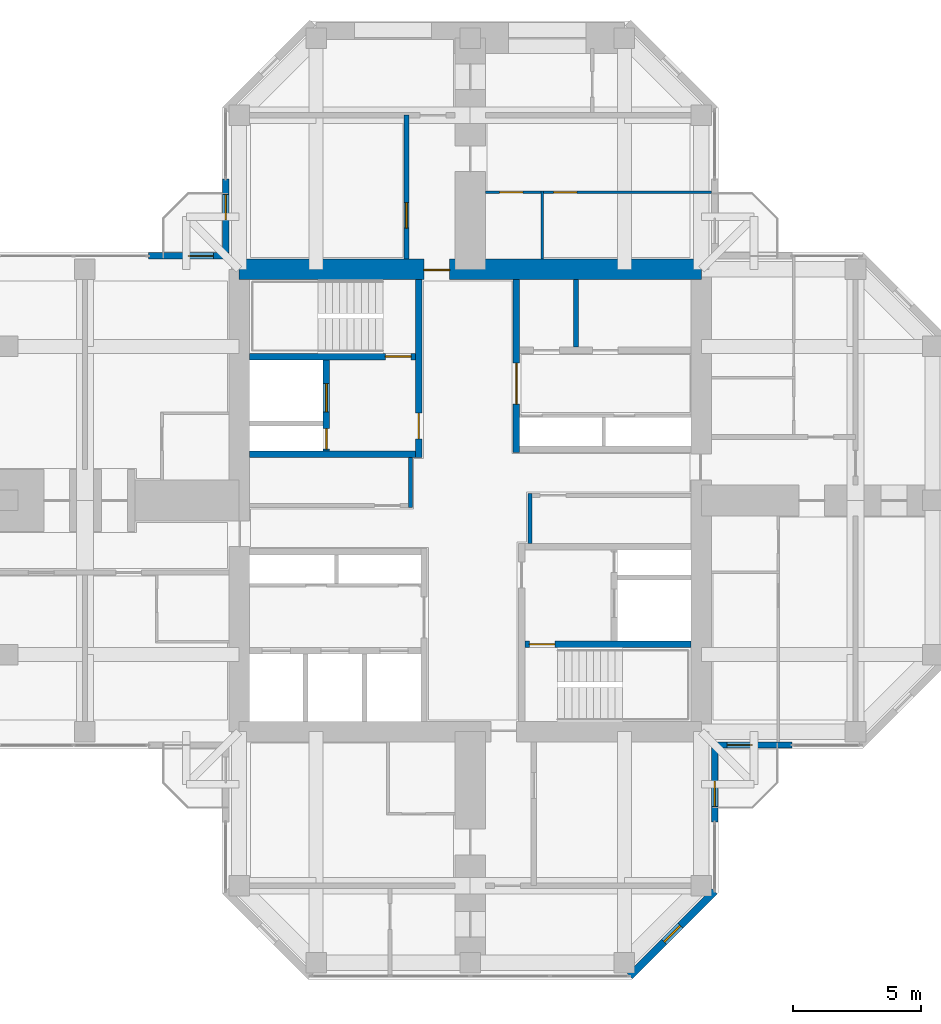
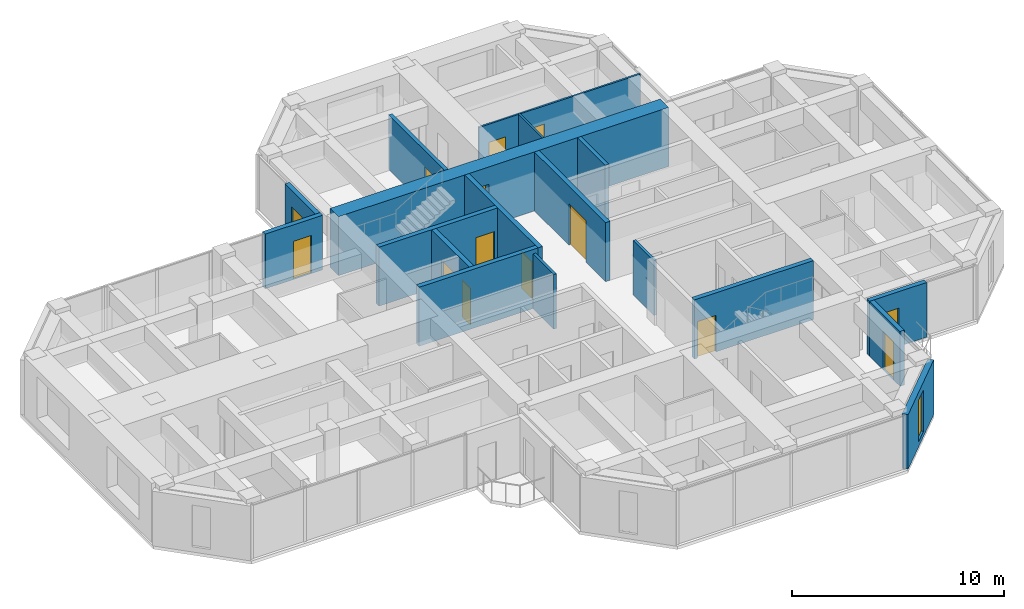
# One storey, part 10 of 13: 18 walls, 14 doors, 1 window, 15 openings.
"""IFC4 building model written with IfcOpenShell, lengths in metres."""

from ifc_helpers import new_model, si_unit, direction, frame, frame_2d, origin, place, context, subcontext, project, spatial, rectangle, hollow_rectangle, extrude, material, layer, layer_set, constituent, constituent_set, type_object, element, fill, save


model = new_model("IFC4")

# Units and contexts
model_context = context("Model", 3, precision=1e-05, world=origin(), true_north=direction((0.0, 1.0)))
body_context = subcontext(model_context, "Body", "Model", "MODEL_VIEW")
ifc_project = project(units=[si_unit("LENGTHUNIT", "METRE"), si_unit("AREAUNIT", "SQUARE_METRE"), si_unit("VOLUMEUNIT", "CUBIC_METRE"), si_unit("PLANEANGLEUNIT", "RADIAN"), si_unit("MASSUNIT", "GRAM", prefix="KILO")], contexts=[model_context])

# Site, building, storey
site_placement = place(None, origin())
site = spatial("IfcSite", under=ifc_project, at=site_placement, CompositionType="ELEMENT")
building_placement = place(site_placement, origin())
building = spatial("IfcBuilding", under=site, at=building_placement, Name="Torre Cruceta", CompositionType="ELEMENT")
storey_placement = place(building_placement, frame((0.0, 0.0, 249.300048828125)))
storey = spatial("IfcBuildingStorey", under=building, at=storey_placement, Name="L64", CompositionType="ELEMENT", Elevation=249.300048828125)

# Wall
ifc_material_1 = material(Name="Water-resistant plasterboard on steel studs", Category="steel")
ifc_layer_1 = layer(ifc_material_1, 0.10009765625)
ifc_layer_set_1 = layer_set([ifc_layer_1], Name="Water-resistant plasterboard on steel studs")
wall_type_1 = type_object("IfcWallType", Name="BATHROOM WALL 100", PredefinedType="PARTITIONING", material=ifc_layer_set_1)
wall_1_placement = place(storey_placement, frame((2.800048828125, 9.39990234375, 0.0), z_axis=(0.0, 0.0, 1.0), x_axis=(0.0, 1.0, 0.0)))
element("IfcWall", 1, at=wall_1_placement, inside=storey, type_object=wall_type_1, Name="PT4 L64-N-U1RBB", PredefinedType="PARTITIONING", context=body_context, shape_type="SweptSolid", body=[
    extrude(rectangle(XDim=2.650146484375, YDim=0.10009765625, at=frame_2d((1.3251953125, 0.0))), origin(), (0.0, 0.0, 1.0), 3.14990234375),
])

# Wall, openings, doors
wall_2_placement = place(storey_placement, frame((9.39501953125, 12.0, 0.0), z_axis=(0.0, 0.0, 1.0), x_axis=(-1.0, 0.0, 0.0)))
wall_2 = element("IfcWall", 2, at=wall_2_placement, inside=storey, type_object=wall_type_1, Name="PT4 L64-N-U1RBS", PredefinedType="PARTITIONING", context=body_context, shape_type="SweptSolid", body=[
    extrude(rectangle(XDim=8.794921875, YDim=0.10009765625, at=frame_2d((4.3974609375, 0.0))), origin(), (0.0, 0.0, 1.0), 3.14990234375),
])
opening_1_placement = place(wall_2_placement, frame((5.2451171875, 0.0, 0.0)))
opening_1 = element("IfcOpeningElement", 3, at=opening_1_placement, cuts=wall_2, Name="Opening D7", PredefinedType="OPENING", context=body_context, shape_type="SweptSolid", body=[
    extrude(rectangle(XDim=0.89990234375, YDim=2.10009765625, at=frame_2d((0.449951171875, 1.050048828125))), frame((0.0, 0.06005859375, 0.0), z_axis=(0.0, -1.0, 0.0), x_axis=(1.0, 0.0, 0.0)), (0.0, 0.0, 1.0), 0.1201171875),
])
opening_2_placement = place(wall_2_placement, frame((7.344970703125, 0.0, 0.0)))
opening_2 = element("IfcOpeningElement", 4, at=opening_2_placement, cuts=wall_2, Name="Opening D7", PredefinedType="OPENING", context=body_context, shape_type="SweptSolid", body=[
    extrude(rectangle(XDim=0.89990234375, YDim=2.10009765625, at=frame_2d((0.449951171875, 1.050048828125))), frame((0.0, 0.06005859375, 0.0), z_axis=(0.0, -1.0, 0.0), x_axis=(1.0, 0.0, 0.0)), (0.0, 0.0, 1.0), 0.1201171875),
])
ifc_material_2 = material(Name="Timber door", Category="wood")
door_type_1 = type_object("IfcDoorType", Name="BATHROOM DOOR 900X2100", OperationType="SINGLE_SWING_LEFT", PredefinedType="DOOR", material=ifc_material_2)
door_1_placement = place(opening_1_placement, origin())
door_1 = element("IfcDoor", 5, at=door_1_placement, inside=storey, type_object=door_type_1, Name="D7 L64-N-U1RBS-D1", OperationType="SINGLE_SWING_RIGHT", OverallHeight=2.10009765625, OverallWidth=0.89990234375, PredefinedType="DOOR", context=body_context, shape_type="SweptSolid", body=[
    extrude(rectangle(XDim=0.89990234375, YDim=2.10009765625, at=frame_2d((0.449951171875, 1.050048828125))), frame((0.0, 0.02490234375, 0.0), z_axis=(0.0, -1.0, 0.0), x_axis=(1.0, 0.0, 0.0)), (0.0, 0.0, 1.0), 0.050048828125),
])
fill(opening_1, door_1)
door_2_placement = place(opening_2_placement, origin())
door_2 = element("IfcDoor", 6, at=door_2_placement, inside=storey, type_object=door_type_1, Name="D7 L64-N-U1RBS-D2", OperationType="SINGLE_SWING_RIGHT", OverallHeight=2.10009765625, OverallWidth=0.89990234375, PredefinedType="DOOR", context=body_context, shape_type="SweptSolid", body=[
    extrude(rectangle(XDim=0.89990234375, YDim=2.10009765625, at=frame_2d((0.449951171875, 1.050048828125))), frame((0.0, 0.02490234375, 0.0), z_axis=(0.0, -1.0, 0.0), x_axis=(1.0, 0.0, 0.0)), (0.0, 0.0, 1.0), 0.050048828125),
])
fill(opening_2, door_2)

# Wall, opening, door
ifc_material_3 = material(Name="Concrete G60 (fck 60 MPa)", Category="concrete")
ifc_layer_2 = layer(ifc_material_3, 0.25)
ifc_layer_set_2 = layer_set([ifc_layer_2], Name="Concrete G60 (fck 60 MPa)")
wall_type_2 = type_object("IfcWallType", Name="CORE INNER WALL 250 G60", PredefinedType="SHEAR", material=ifc_layer_set_2)
wall_3_placement = place(storey_placement, frame((1.800048828125, 1.875, 0.0), z_axis=(0.0, 0.0, 1.0), x_axis=(0.0, 1.0, 0.0)))
wall_3 = element("IfcWall", 7, at=wall_3_placement, inside=storey, type_object=wall_type_2, Name="CW4 L64 NE-CU", PredefinedType="SHEAR", context=body_context, shape_type="SweptSolid", body=[
    extrude(rectangle(XDim=6.72509765625, YDim=0.25, at=frame_2d((3.362548828125, 0.0))), origin(), (0.0, 0.0, 1.0), 3.39990234375),
])
opening_3_placement = place(wall_3_placement, frame((1.875, 0.0, 0.0)))
opening_3 = element("IfcOpeningElement", 8, at=opening_3_placement, cuts=wall_3, Name="Opening D15", PredefinedType="OPENING", context=body_context, shape_type="SweptSolid", body=[
    extrude(rectangle(XDim=1.60009765625, YDim=2.39990234375, at=frame_2d((0.800048828125, 1.199951171875))), frame((0.0, 0.135009765625, 0.0), z_axis=(0.0, -1.0, 0.0), x_axis=(1.0, 0.0, 0.0)), (0.0, 0.0, 1.0), 0.27001953125),
])
ifc_material_4 = material(Name="Steel DX51D", Category="steel")
ifc_constituent_1 = constituent(ifc_material_4, Name="Leaf and frame")
ifc_material_5 = material(Name="Polyester powder coating", Category="paint")
ifc_constituent_2 = constituent(ifc_material_5, Name="Finish")
ifc_constituent_set_1 = constituent_set(constituents=[ifc_constituent_1, ifc_constituent_2], Name="Steel fire door")
door_type_2 = type_object("IfcDoorType", Name="CORE ROOM DOUBLE DOOR 1600X2400", OperationType="DOUBLE_DOOR_SINGLE_SWING", PredefinedType="DOOR", material=ifc_constituent_set_1)
door_3_placement = place(opening_3_placement, frame((1.60009765625, 0.0, 0.0), z_axis=(0.0, 0.0, 1.0), x_axis=(-1.0, 0.0, 0.0)))
door_3 = element("IfcDoor", 9, at=door_3_placement, inside=storey, type_object=door_type_2, Name="D15 L64 NE-LOBBY", OperationType="DOUBLE_DOOR_SINGLE_SWING", OverallHeight=2.39990234375, OverallWidth=1.60009765625, PredefinedType="DOOR", context=body_context, shape_type="SweptSolid", body=[
    extrude(rectangle(XDim=1.60009765625, YDim=2.39990234375, at=frame_2d((0.800048828125, 1.199951171875))), frame((0.0, 0.025146484375, 0.0), z_axis=(0.0, -1.0, 0.0), x_axis=(1.0, 0.0, 0.0)), (0.0, 0.0, 1.0), 0.050048828125),
])
fill(opening_3, door_3)

wall_4_placement = place(storey_placement, frame((-2.0, 1.675048828125, 0.0), z_axis=(0.0, 0.0, 1.0), x_axis=(0.0, 1.0, 0.0)))
wall_4 = element("IfcWall", 10, at=wall_4_placement, inside=storey, type_object=wall_type_2, Name="CW4 L64 NW-CU", PredefinedType="SHEAR", context=body_context, shape_type="SweptSolid", body=[
    extrude(rectangle(XDim=6.925048828125, YDim=0.25, at=frame_2d((3.46240234375, 0.0))), origin(), (0.0, 0.0, 1.0), 3.39990234375),
])
opening_4_placement = place(wall_4_placement, frame((0.72509765625, 0.0, 0.0)))
opening_4 = element("IfcOpeningElement", 11, at=opening_4_placement, cuts=wall_4, Name="Opening D3", PredefinedType="OPENING", context=body_context, shape_type="SweptSolid", body=[
    extrude(rectangle(XDim=1.0, YDim=2.10009765625, at=frame_2d((0.5, 1.050048828125))), frame((0.0, 0.135009765625, 0.0), z_axis=(0.0, -1.0, 0.0), x_axis=(1.0, 0.0, 0.0)), (0.0, 0.0, 1.0), 0.27001953125),
])
ifc_material_6 = material(Name="Steel DX51D", Category="steel")
ifc_constituent_3 = constituent(ifc_material_6, Name="Leaf and frame")
ifc_material_7 = material(Name="Polyester powder coating", Category="paint")
ifc_constituent_4 = constituent(ifc_material_7, Name="Finish")
ifc_constituent_set_2 = constituent_set(constituents=[ifc_constituent_3, ifc_constituent_4], Name="Steel fire door")
door_type_3 = type_object("IfcDoorType", Name="FIRE DOOR 1000X2100", OperationType="SINGLE_SWING_LEFT", PredefinedType="DOOR", material=ifc_constituent_set_2)
door_4_placement = place(opening_4_placement, origin())
door_4 = element("IfcDoor", 12, at=door_4_placement, inside=storey, type_object=door_type_3, Name="D3 L64 NW-LOBBY", OperationType="SINGLE_SWING_LEFT", OverallHeight=2.10009765625, OverallWidth=1.0, PredefinedType="DOOR", context=body_context, shape_type="SweptSolid", body=[
    extrude(rectangle(XDim=1.0, YDim=2.10009765625, at=frame_2d((0.5, 1.050048828125))), frame((0.0, 0.02490234375, 0.0), z_axis=(0.0, -1.0, 0.0), x_axis=(1.0, 0.0, 0.0)), (0.0, 0.0, 1.0), 0.050048828125),
])
fill(opening_4, door_4)

# Wall
wall_5_placement = place(storey_placement, frame((-2.125, 1.800048828125, 0.0), z_axis=(0.0, 0.0, 1.0), x_axis=(-1.0, 0.0, 0.0)))
element("IfcWall", 13, at=wall_5_placement, inside=storey, type_object=wall_type_2, Name="CW4 L64 NW-CV", PredefinedType="SHEAR", context=body_context, shape_type="SweptSolid", body=[
    extrude(rectangle(XDim=6.47509765625, YDim=0.25, at=frame_2d((3.237548828125, 0.0))), origin(), (0.0, 0.0, 1.0), 3.39990234375),
])

# Wall, opening, door
wall_6_placement = place(storey_placement, frame((-2.125, 5.60009765625, 0.0), z_axis=(0.0, 0.0, 1.0), x_axis=(-1.0, 0.0, 0.0)))
wall_6 = element("IfcWall", 14, at=wall_6_placement, inside=storey, type_object=wall_type_2, Name="CW4 L64 NW-SV", PredefinedType="SHEAR", context=body_context, shape_type="SweptSolid", body=[
    extrude(rectangle(XDim=6.47509765625, YDim=0.25, at=frame_2d((3.237548828125, 0.0))), origin(), (0.0, 0.0, 1.0), 3.39990234375),
])
opening_5_placement = place(wall_6_placement, frame((0.175048828125, 0.0, 0.0)))
opening_5 = element("IfcOpeningElement", 15, at=opening_5_placement, cuts=wall_6, Name="Opening D3", PredefinedType="OPENING", context=body_context, shape_type="SweptSolid", body=[
    extrude(rectangle(XDim=1.0, YDim=2.10009765625, at=frame_2d((0.5, 1.050048828125))), frame((0.0, 0.135009765625, 0.0), z_axis=(0.0, -1.0, 0.0), x_axis=(1.0, 0.0, 0.0)), (0.0, 0.0, 1.0), 0.27001953125),
])
door_5_placement = place(opening_5_placement, frame((1.0, 0.0, 0.0), z_axis=(0.0, 0.0, 1.0), x_axis=(-1.0, 0.0, 0.0)))
door_5 = element("IfcDoor", 16, at=door_5_placement, inside=storey, type_object=door_type_3, Name="D3 L64 NW-STAIR", OperationType="SINGLE_SWING_RIGHT", OverallHeight=2.10009765625, OverallWidth=1.0, PredefinedType="DOOR", context=body_context, shape_type="SweptSolid", body=[
    extrude(rectangle(XDim=1.0, YDim=2.10009765625, at=frame_2d((0.5, 1.050048828125))), frame((0.0, 0.025146484375, 0.0), z_axis=(0.0, -1.0, 0.0), x_axis=(1.0, 0.0, 0.0)), (0.0, 0.0, 1.0), 0.050048828125),
])
fill(opening_5, door_5)

# Wall, openings, doors
wall_7_placement = place(storey_placement, frame((-5.60009765625, 1.925048828125, 0.0), z_axis=(0.0, 0.0, 1.0), x_axis=(0.0, 1.0, 0.0)))
wall_7 = element("IfcWall", 17, at=wall_7_placement, inside=storey, type_object=wall_type_2, Name="CW4 L64 NW-FU", PredefinedType="SHEAR", context=body_context, shape_type="SweptSolid", body=[
    extrude(rectangle(XDim=3.550048828125, YDim=0.25, at=frame_2d((1.77490234375, 0.0))), origin(), (0.0, 0.0, 1.0), 3.39990234375),
])
opening_6_placement = place(wall_7_placement, frame((1.52490234375, 0.0, 0.0)))
opening_6 = element("IfcOpeningElement", 18, at=opening_6_placement, cuts=wall_7, Name="Opening LD1", PredefinedType="OPENING", context=body_context, shape_type="SweptSolid", body=[
    extrude(rectangle(XDim=1.10009765625, YDim=2.199951171875, at=frame_2d((0.550048828125, 1.10009765625))), frame((0.0, 0.135009765625, 0.0), z_axis=(0.0, -1.0, 0.0), x_axis=(1.0, 0.0, 0.0)), (0.0, 0.0, 1.0), 0.27001953125),
])
opening_7_placement = place(wall_7_placement, frame((0.074951171875, 0.0, 0.0)))
opening_7 = element("IfcOpeningElement", 19, at=opening_7_placement, cuts=wall_7, Name="Opening D5", PredefinedType="OPENING", context=body_context, shape_type="SweptSolid", body=[
    extrude(rectangle(XDim=0.800048828125, YDim=2.10009765625, at=frame_2d((0.39990234375, 1.050048828125))), frame((0.0, 0.135009765625, 0.0), z_axis=(0.0, -1.0, 0.0), x_axis=(1.0, 0.0, 0.0)), (0.0, 0.0, 1.0), 0.27001953125),
])
ifc_material_8 = material(Name="Stainless steel 1.4401", Category="steel")
door_type_4 = type_object("IfcDoorType", Name="LIFT LANDING DOOR 1100X2200", OperationType="DOUBLE_DOOR_SLIDING", PredefinedType="DOOR", material=ifc_material_8)
door_6_placement = place(opening_6_placement, origin())
door_6 = element("IfcDoor", 20, at=door_6_placement, inside=storey, type_object=door_type_4, Name="Lift landing door FL1", OperationType="DOUBLE_DOOR_SLIDING", OverallHeight=2.199951171875, OverallWidth=1.10009765625, PredefinedType="DOOR", context=body_context, shape_type="SweptSolid", body=[
    extrude(rectangle(XDim=1.10009765625, YDim=2.199951171875, at=frame_2d((0.550048828125, 1.10009765625))), frame((0.0, 0.02490234375, 0.0), z_axis=(0.0, -1.0, 0.0), x_axis=(1.0, 0.0, 0.0)), (0.0, 0.0, 1.0), 0.050048828125),
])
fill(opening_6, door_6)
ifc_material_9 = material(Name="Steel DX51D", Category="steel")
ifc_constituent_5 = constituent(ifc_material_9, Name="Leaf and frame")
ifc_material_10 = material(Name="Polyester powder coating", Category="paint")
ifc_constituent_6 = constituent(ifc_material_10, Name="Finish")
ifc_constituent_set_3 = constituent_set(constituents=[ifc_constituent_5, ifc_constituent_6], Name="Steel fire door")
door_type_5 = type_object("IfcDoorType", Name="RISER ACCESS DOOR 800X2100", OperationType="SINGLE_SWING_LEFT", PredefinedType="DOOR", material=ifc_constituent_set_3)
door_7_placement = place(opening_7_placement, origin())
door_7 = element("IfcDoor", 21, at=door_7_placement, inside=storey, type_object=door_type_5, Name="D5 L64 NW-RISER", OperationType="SINGLE_SWING_LEFT", OverallHeight=2.10009765625, OverallWidth=0.800048828125, PredefinedType="DOOR", context=body_context, shape_type="SweptSolid", body=[
    extrude(rectangle(XDim=0.800048828125, YDim=2.10009765625, at=frame_2d((0.39990234375, 1.050048828125))), frame((0.0, 0.02490234375, 0.0), z_axis=(0.0, -1.0, 0.0), x_axis=(1.0, 0.0, 0.0)), (0.0, 0.0, 1.0), 0.050048828125),
])
fill(opening_7, door_7)

# Wall, opening, door
wall_8_placement = place(storey_placement, frame((2.125, -5.60009765625, 0.0), z_axis=(0.0, 0.0, 1.0), x_axis=(1.0, 0.0, 0.0)))
wall_8 = element("IfcWall", 22, at=wall_8_placement, inside=storey, type_object=wall_type_2, Name="CW4 L64 SE-SV", PredefinedType="SHEAR", context=body_context, shape_type="SweptSolid", body=[
    extrude(rectangle(XDim=6.47509765625, YDim=0.25, at=frame_2d((3.237548828125, 0.0))), origin(), (0.0, 0.0, 1.0), 3.39990234375),
])
opening_8_placement = place(wall_8_placement, frame((0.175048828125, 0.0, 0.0)))
opening_8 = element("IfcOpeningElement", 23, at=opening_8_placement, cuts=wall_8, Name="Opening D3", PredefinedType="OPENING", context=body_context, shape_type="SweptSolid", body=[
    extrude(rectangle(XDim=1.0, YDim=2.10009765625, at=frame_2d((0.5, 1.050048828125))), frame((0.0, 0.135009765625, 0.0), z_axis=(0.0, -1.0, 0.0), x_axis=(1.0, 0.0, 0.0)), (0.0, 0.0, 1.0), 0.27001953125),
])
door_8_placement = place(opening_8_placement, frame((1.0, 0.0, 0.0), z_axis=(0.0, 0.0, 1.0), x_axis=(-1.0, 0.0, 0.0)))
door_8 = element("IfcDoor", 24, at=door_8_placement, inside=storey, type_object=door_type_3, Name="D3 L64 SE-STAIR", OperationType="SINGLE_SWING_RIGHT", OverallHeight=2.10009765625, OverallWidth=1.0, PredefinedType="DOOR", context=body_context, shape_type="SweptSolid", body=[
    extrude(rectangle(XDim=1.0, YDim=2.10009765625, at=frame_2d((0.5, 1.050048828125))), frame((0.0, 0.025146484375, 0.0), z_axis=(0.0, -1.0, 0.0), x_axis=(1.0, 0.0, 0.0)), (0.0, 0.0, 1.0), 0.050048828125),
])
fill(opening_8, door_8)

ifc_material_11 = material(Name="Concrete G60 (fck 60 MPa)", Category="concrete")
ifc_layer_3 = layer(ifc_material_11, 0.800048828125)
ifc_layer_set_3 = layer_set([ifc_layer_3], Name="Concrete G60 (fck 60 MPa)")
wall_type_3 = type_object("IfcWallType", Name="CORE WALL 800 G60", PredefinedType="SHEAR", material=ifc_layer_set_3)
wall_9_placement = place(storey_placement, frame((9.0, 9.0, 0.0), z_axis=(0.0, 0.0, 1.0), x_axis=(-1.0, 0.0, 0.0)))
wall_9 = element("IfcWall", 25, at=wall_9_placement, inside=storey, type_object=wall_type_3, Name="CW3 L64 CW-N", PredefinedType="SHEAR", context=body_context, shape_type="SweptSolid", body=[
    extrude(rectangle(XDim=18.0, YDim=0.800048828125, at=frame_2d((9.0, 0.0))), origin(), (0.0, 0.0, 1.0), 3.39990234375),
])
opening_9_placement = place(wall_9_placement, frame((9.800048828125, 0.0, 0.0)))
opening_9 = element("IfcOpeningElement", 26, at=opening_9_placement, cuts=wall_9, Name="Opening D4", PredefinedType="OPENING", context=body_context, shape_type="SweptSolid", body=[
    extrude(rectangle(XDim=1.0, YDim=2.39990234375, at=frame_2d((0.5, 1.199951171875))), frame((0.0, 0.409912109375, 0.0), z_axis=(0.0, -1.0, 0.0), x_axis=(1.0, 0.0, 0.0)), (0.0, 0.0, 1.0), 0.820068359375),
])
ifc_material_12 = material(Name="Steel DX51D", Category="steel")
ifc_constituent_7 = constituent(ifc_material_12, Name="Leaf and frame")
ifc_material_13 = material(Name="Polyester powder coating", Category="paint")
ifc_constituent_8 = constituent(ifc_material_13, Name="Finish")
ifc_constituent_set_4 = constituent_set(constituents=[ifc_constituent_7, ifc_constituent_8], Name="Steel fire door")
door_type_6 = type_object("IfcDoorType", Name="CORE ARM DOOR 1000X2400", OperationType="SINGLE_SWING_RIGHT", PredefinedType="DOOR", material=ifc_constituent_set_4)
door_9_placement = place(opening_9_placement, origin())
door_9 = element("IfcDoor", 27, at=door_9_placement, inside=storey, type_object=door_type_6, Name="D4 L64 CW-N", OperationType="SINGLE_SWING_RIGHT", OverallHeight=2.39990234375, OverallWidth=1.0, PredefinedType="DOOR", context=body_context, shape_type="SweptSolid", body=[
    extrude(rectangle(XDim=1.0, YDim=2.39990234375, at=frame_2d((0.5, 1.199951171875))), frame((0.0, 0.05517578125, 0.0), z_axis=(0.0, -1.0, 0.0), x_axis=(1.0, 0.0, 0.0)), (0.0, 0.0, 1.0), 0.050048828125),
])
fill(opening_9, door_9)

ifc_material_14 = material(Name="Concrete G25 (fck 25 MPa)", Category="concrete")
ifc_layer_4 = layer(ifc_material_14, 0.199951171875)
ifc_layer_set_4 = layer_set([ifc_layer_4], Name="Concrete G25 (fck 25 MPa)")
wall_type_4 = type_object("IfcWallType", Name="CORRIDOR WALL 200", PredefinedType="SOLIDWALL", material=ifc_layer_set_4)
wall_10_placement = place(storey_placement, frame((-2.47509765625, 9.39990234375, 0.0), z_axis=(0.0, 0.0, 1.0), x_axis=(0.0, 1.0, 0.0)))
wall_10 = element("IfcWall", 28, at=wall_10_placement, inside=storey, type_object=wall_type_4, Name="PT3 L64-N-CL", PredefinedType="SOLIDWALL", context=body_context, shape_type="SweptSolid", body=[
    extrude(rectangle(XDim=5.60009765625, YDim=0.199951171875, at=frame_2d((2.800048828125, 0.0))), origin(), (0.0, 0.0, 1.0), 3.14990234375),
])
opening_10_placement = place(wall_10_placement, frame((1.199951171875, 0.0, 0.0)))
opening_10 = element("IfcOpeningElement", 29, at=opening_10_placement, cuts=wall_10, Name="Opening D14", PredefinedType="OPENING", context=body_context, shape_type="SweptSolid", body=[
    extrude(rectangle(XDim=1.0, YDim=2.199951171875, at=frame_2d((0.5, 1.10009765625))), frame((0.0, 0.10986328125, 0.0), z_axis=(0.0, -1.0, 0.0), x_axis=(1.0, 0.0, 0.0)), (0.0, 0.0, 1.0), 0.219970703125),
])
ifc_material_15 = material(Name="Steel DX51D", Category="steel")
ifc_constituent_9 = constituent(ifc_material_15, Name="Leaf and frame")
ifc_material_16 = material(Name="Polyester powder coating", Category="paint")
ifc_constituent_10 = constituent(ifc_material_16, Name="Finish")
ifc_material_17 = material(Name="Fire-resisting glass", Category="glass")
ifc_constituent_11 = constituent(ifc_material_17, Name="Vision panel")
ifc_constituent_set_5 = constituent_set(constituents=[ifc_constituent_9, ifc_constituent_10, ifc_constituent_11], Name="Steel fire door with vision panel")
door_type_7 = type_object("IfcDoorType", Name="FIRE DOOR VISION PANEL 1000X2200", OperationType="SINGLE_SWING_RIGHT", PredefinedType="DOOR", material=ifc_constituent_set_5)
door_10_placement = place(opening_10_placement, origin())
door_10 = element("IfcDoor", 30, at=door_10_placement, inside=storey, type_object=door_type_7, Name="D14 L64-N-CL-D1", OperationType="SINGLE_SWING_LEFT", OverallHeight=2.199951171875, OverallWidth=1.0, PredefinedType="DOOR", context=body_context, shape_type="SweptSolid", body=[
    extrude(rectangle(XDim=1.0, YDim=2.199951171875, at=frame_2d((0.5, 1.10009765625))), frame((0.0, 0.02490234375, 0.0), z_axis=(0.0, -1.0, 0.0), x_axis=(1.0, 0.0, 0.0)), (0.0, 0.0, 1.0), 0.050048828125),
])
fill(opening_10, door_10)

# Wall, opening, window
ifc_material_18 = material(Name="Concrete G30 (fck 30 MPa)", Category="concrete")
ifc_layer_5 = layer(ifc_material_18, 0.300048828125)
ifc_layer_set_5 = layer_set([ifc_layer_5], Name="Concrete G30 (fck 30 MPa)")
wall_type_5 = type_object("IfcWallType", Name="EXPOSED CONCRETE FACADE WALL 300", PredefinedType="SOLIDWALL", material=ifc_layer_set_5)
wall_11_placement = place(storey_placement, frame((6.21533203125, -18.52001953125, 0.0), z_axis=(0.0, 0.0, 1.0), x_axis=(0.707106781187, 0.707106781187, 0.0)))
wall_11 = element("IfcWall", 31, at=wall_11_placement, inside=storey, type_object=wall_type_5, Name="EW1 facade wall L64 S chamfer 18", PredefinedType="SOLIDWALL", context=body_context, shape_type="SweptSolid", body=[
    extrude(rectangle(XDim=4.673583984375, YDim=0.300048828125, at=frame_2d((2.3369140625, 0.0))), origin(), (0.0, 0.0, 1.0), 3.14990234375),
])
opening_11_placement = place(wall_11_placement, frame((1.88671875, 0.0, 0.300048828125)))
opening_11 = element("IfcOpeningElement", 32, at=opening_11_placement, cuts=wall_11, Name="Opening WN5", PredefinedType="OPENING", context=body_context, shape_type="SweptSolid", body=[
    extrude(rectangle(XDim=0.89990234375, YDim=2.39990234375, at=frame_2d((0.449951171875, 1.199951171875))), frame((0.0, 0.159912109375, 0.0), z_axis=(0.0, -1.0, 0.0), x_axis=(1.0, 0.0, 0.0)), (0.0, 0.0, 1.0), 0.320068359375),
])
ifc_material_19 = material(Name="Aluminium window frame", Category="aluminium")
ifc_constituent_12 = constituent(ifc_material_19, Name="Frame")
ifc_material_20 = material(Name="Laminated insulating glass unit, low-iron clear", Category="glass")
ifc_constituent_13 = constituent(ifc_material_20, Name="Glazing")
ifc_constituent_set_6 = constituent_set(constituents=[ifc_constituent_12, ifc_constituent_13], Name="Aluminium window")
window_type = type_object("IfcWindowType", Name="CHAMFER SLOT WINDOW 900X2400", PartitioningType="SINGLE_PANEL", PredefinedType="WINDOW", material=ifc_constituent_set_6)
window_placement = place(opening_11_placement, origin())
window = element("IfcWindow", 33, at=window_placement, inside=storey, type_object=window_type, Name="WN5 L64 S 1", OverallHeight=2.39990234375, OverallWidth=0.89990234375, PartitioningType="SINGLE_PANEL", PredefinedType="WINDOW", context=body_context, shape_type="SweptSolid", body=[
    extrude(hollow_rectangle(XDim=0.89990234375, YDim=2.39990234375, WallThickness=0.06005859375, at=frame_2d((0.449951171875, 1.199951171875))), frame((0.0, 0.030029296875, 0.0), z_axis=(0.0, -1.0, 0.0), x_axis=(1.0, 0.0, 0.0)), (0.0, 0.0, 1.0), 0.06005859375),
    extrude(rectangle(XDim=0.77880859375, YDim=2.27880859375, at=frame_2d((0.449951171875, 1.199951171875))), frame((0.0, 0.030029296875, 0.0), z_axis=(0.0, -1.0, 0.0), x_axis=(1.0, 0.0, 0.0)), (0.0, 0.0, 1.0), 0.06005859375),
])
fill(opening_11, window)

# Walls
ifc_material_21 = material(Name="Concrete G35 (fck 35 MPa)", Category="concrete")
ifc_layer_6 = layer(ifc_material_21, 0.199951171875)
ifc_layer_set_6 = layer_set([ifc_layer_6], Name="Concrete G35 (fck 35 MPa)")
wall_type_6 = type_object("IfcWallType", Name="LIFT SHAFT WALL 200", PredefinedType="PARTITIONING", material=ifc_layer_set_6)
wall_12_placement = place(storey_placement, frame((4.11669921875, 5.97509765625, 0.0), z_axis=(0.0, 0.0, 1.0), x_axis=(0.0, 1.0, 0.0)))
element("IfcWall", 34, at=wall_12_placement, inside=storey, type_object=wall_type_6, Name="SW1 L64 NE-LS1", PredefinedType="PARTITIONING", context=body_context, shape_type="SweptSolid", body=[
    extrude(rectangle(XDim=2.625, YDim=0.199951171875, at=frame_2d((1.3125, 0.0))), origin(), (0.0, 0.0, 1.0), 3.39990234375),
])
ifc_material_22 = material(Name="Plasterboard on steel studs", Category="steel")
ifc_layer_7 = layer(ifc_material_22, 0.14990234375)
ifc_layer_set_7 = layer_set([ifc_layer_7], Name="Plasterboard on steel studs")
wall_type_7 = type_object("IfcWallType", Name="PARTITION 150", PredefinedType="PARTITIONING", material=ifc_layer_set_7)
for number, where, z_axis, x_axis, name in (
    (35, (2.324951171875, -1.675048828125, 0.0), (0.0, 0.0, 1.0), (0.0, 1.0, 0.0), "PT1 L64-CORE-LEGE-S-W2"),
    (36, (-2.324951171875, 1.675048828125, 0.0), (0.0, 0.0, 1.0), (0.0, -1.0, 0.0), "PT1 L64-CORE-LEGW-N-W2"),
):
    element("IfcWall", number, at=place(storey_placement, frame(where, z_axis=z_axis, x_axis=x_axis)), inside=storey, type_object=wall_type_7, Name=name, PredefinedType="PARTITIONING", context=body_context, shape_type="SweptSolid", body=[
        extrude(rectangle(XDim=1.949951171875, YDim=0.14990234375, at=frame_2d((0.97509765625, 0.0))), origin(), (0.0, 0.0, 1.0), 3.14990234375),
    ])

# Wall, opening, door
ifc_material_23 = material(Name="Concrete G30 (fck 30 MPa)", Category="concrete")
ifc_layer_8 = layer(ifc_material_23, 0.25)
ifc_layer_set_8 = layer_set([ifc_layer_8], Name="Concrete G30 (fck 30 MPa)")
wall_type_8 = type_object("IfcWallType", Name="WINTER GARDEN WALL 250", PredefinedType="SOLIDWALL", material=ifc_layer_set_8)
wall_13_placement = place(storey_placement, frame((9.39501953125, -9.52001953125, 0.0), z_axis=(0.0, 0.0, 1.0), x_axis=(1.0, 0.0, 0.0)))
wall_13 = element("IfcWall", 37, at=wall_13_placement, inside=storey, type_object=wall_type_8, Name="EW2 winter garden wall L64 00", PredefinedType="SOLIDWALL", context=body_context, shape_type="SweptSolid", body=[
    extrude(rectangle(XDim=3.125, YDim=0.25, at=frame_2d((1.5625, 0.0))), origin(), (0.0, 0.0, 1.0), 3.14990234375),
])
opening_12_placement = place(wall_13_placement, frame((0.60009765625, 0.0, 0.0)))
opening_12 = element("IfcOpeningElement", 38, at=opening_12_placement, cuts=wall_13, Name="Opening D10", PredefinedType="OPENING", context=body_context, shape_type="SweptSolid", body=[
    extrude(rectangle(XDim=1.0, YDim=2.199951171875, at=frame_2d((0.5, 1.10009765625))), frame((0.0, 0.135009765625, 0.0), z_axis=(0.0, -1.0, 0.0), x_axis=(1.0, 0.0, 0.0)), (0.0, 0.0, 1.0), 0.27001953125),
])
ifc_material_24 = material(Name="Aluminium door frame", Category="aluminium")
ifc_constituent_14 = constituent(ifc_material_24, Name="Frame")
ifc_material_25 = material(Name="Laminated safety glass", Category="glass")
ifc_constituent_15 = constituent(ifc_material_25, Name="Glazing")
ifc_constituent_set_7 = constituent_set(constituents=[ifc_constituent_14, ifc_constituent_15], Name="Aluminium glazed door")
door_type_8 = type_object("IfcDoorType", Name="BALCONY DOOR 1000X2200", OperationType="SINGLE_SWING_RIGHT", PredefinedType="DOOR", material=ifc_constituent_set_7)
door_11_placement = place(opening_12_placement, origin())
door_11 = element("IfcDoor", 39, at=door_11_placement, inside=storey, type_object=door_type_8, Name="D10 balcony door L64 00", OperationType="SINGLE_SWING_RIGHT", OverallHeight=2.199951171875, OverallWidth=1.0, PredefinedType="DOOR", context=body_context, shape_type="SweptSolid", body=[
    extrude(hollow_rectangle(XDim=1.0, YDim=2.199951171875, WallThickness=0.06005859375, at=frame_2d((0.5, 1.10009765625))), frame((0.0, 0.02490234375, 0.0), z_axis=(0.0, -1.0, 0.0), x_axis=(1.0, 0.0, 0.0)), (0.0, 0.0, 1.0), 0.050048828125),
    extrude(rectangle(XDim=0.87890625, YDim=2.078857421875, at=frame_2d((0.5, 1.10009765625))), frame((0.0, 0.02490234375, 0.0), z_axis=(0.0, -1.0, 0.0), x_axis=(1.0, 0.0, 0.0)), (0.0, 0.0, 1.0), 0.050048828125),
])
fill(opening_12, door_11)

wall_14_placement = place(storey_placement, frame((-9.52001953125, 12.52001953125, 0.0), z_axis=(0.0, 0.0, 1.0), x_axis=(0.0, -1.0, 0.0)))
wall_14 = element("IfcWall", 40, at=wall_14_placement, inside=storey, type_object=wall_type_8, Name="EW2 winter garden wall L64 09", PredefinedType="SOLIDWALL", context=body_context, shape_type="SweptSolid", body=[
    extrude(rectangle(XDim=2.875, YDim=0.25, at=frame_2d((1.4375, 0.0))), origin(), (0.0, 0.0, 1.0), 3.14990234375),
])
opening_13_placement = place(wall_14_placement, frame((0.60009765625, 0.0, 0.0)))
opening_13 = element("IfcOpeningElement", 41, at=opening_13_placement, cuts=wall_14, Name="Opening D10", PredefinedType="OPENING", context=body_context, shape_type="SweptSolid", body=[
    extrude(rectangle(XDim=1.0, YDim=2.199951171875, at=frame_2d((0.5, 1.10009765625))), frame((0.0, 0.135009765625, 0.0), z_axis=(0.0, -1.0, 0.0), x_axis=(1.0, 0.0, 0.0)), (0.0, 0.0, 1.0), 0.27001953125),
])
door_12_placement = place(opening_13_placement, origin())
door_12 = element("IfcDoor", 42, at=door_12_placement, inside=storey, type_object=door_type_8, Name="D10 balcony door L64 09", OperationType="SINGLE_SWING_RIGHT", OverallHeight=2.199951171875, OverallWidth=1.0, PredefinedType="DOOR", context=body_context, shape_type="SweptSolid", body=[
    extrude(hollow_rectangle(XDim=1.0, YDim=2.199951171875, WallThickness=0.06005859375, at=frame_2d((0.5, 1.10009765625))), frame((0.0, 0.02490234375, 0.0), z_axis=(0.0, -1.0, 0.0), x_axis=(1.0, 0.0, 0.0)), (0.0, 0.0, 1.0), 0.050048828125),
    extrude(rectangle(XDim=0.87890625, YDim=2.078857421875, at=frame_2d((0.5, 1.10009765625))), frame((0.0, 0.02490234375, 0.0), z_axis=(0.0, -1.0, 0.0), x_axis=(1.0, 0.0, 0.0)), (0.0, 0.0, 1.0), 0.050048828125),
])
fill(opening_13, door_12)

wall_15_placement = place(storey_placement, frame((-9.39501953125, 9.52001953125, 0.0), z_axis=(0.0, 0.0, 1.0), x_axis=(-1.0, 0.0, 0.0)))
wall_15 = element("IfcWall", 43, at=wall_15_placement, inside=storey, type_object=wall_type_8, Name="EW2 winter garden wall L64 10", PredefinedType="SOLIDWALL", context=body_context, shape_type="SweptSolid", body=[
    extrude(rectangle(XDim=3.125, YDim=0.25, at=frame_2d((1.5625, 0.0))), origin(), (0.0, 0.0, 1.0), 3.14990234375),
])
opening_14_placement = place(wall_15_placement, frame((0.60009765625, 0.0, 0.0)))
opening_14 = element("IfcOpeningElement", 44, at=opening_14_placement, cuts=wall_15, Name="Opening D10", PredefinedType="OPENING", context=body_context, shape_type="SweptSolid", body=[
    extrude(rectangle(XDim=1.0, YDim=2.199951171875, at=frame_2d((0.5, 1.10009765625))), frame((0.0, 0.135009765625, 0.0), z_axis=(0.0, -1.0, 0.0), x_axis=(1.0, 0.0, 0.0)), (0.0, 0.0, 1.0), 0.27001953125),
])
door_13_placement = place(opening_14_placement, origin())
door_13 = element("IfcDoor", 45, at=door_13_placement, inside=storey, type_object=door_type_8, Name="D10 balcony door L64 10", OperationType="SINGLE_SWING_LEFT", OverallHeight=2.199951171875, OverallWidth=1.0, PredefinedType="DOOR", context=body_context, shape_type="SweptSolid", body=[
    extrude(hollow_rectangle(XDim=1.0, YDim=2.199951171875, WallThickness=0.06005859375, at=frame_2d((0.5, 1.10009765625))), frame((0.0, 0.02490234375, 0.0), z_axis=(0.0, -1.0, 0.0), x_axis=(1.0, 0.0, 0.0)), (0.0, 0.0, 1.0), 0.050048828125),
    extrude(rectangle(XDim=0.87890625, YDim=2.078857421875, at=frame_2d((0.5, 1.10009765625))), frame((0.0, 0.02490234375, 0.0), z_axis=(0.0, -1.0, 0.0), x_axis=(1.0, 0.0, 0.0)), (0.0, 0.0, 1.0), 0.050048828125),
])
fill(opening_14, door_13)

wall_16_placement = place(storey_placement, frame((9.52001953125, -12.52001953125, 0.0), z_axis=(0.0, 0.0, 1.0), x_axis=(0.0, 1.0, 0.0)))
wall_16 = element("IfcWall", 46, at=wall_16_placement, inside=storey, type_object=wall_type_8, Name="EW2 winter garden wall L64 19", PredefinedType="SOLIDWALL", context=body_context, shape_type="SweptSolid", body=[
    extrude(rectangle(XDim=2.875, YDim=0.25, at=frame_2d((1.4375, 0.0))), origin(), (0.0, 0.0, 1.0), 3.14990234375),
])
opening_15_placement = place(wall_16_placement, frame((0.60009765625, 0.0, 0.0)))
opening_15 = element("IfcOpeningElement", 47, at=opening_15_placement, cuts=wall_16, Name="Opening D10", PredefinedType="OPENING", context=body_context, shape_type="SweptSolid", body=[
    extrude(rectangle(XDim=1.0, YDim=2.199951171875, at=frame_2d((0.5, 1.10009765625))), frame((0.0, 0.135009765625, 0.0), z_axis=(0.0, -1.0, 0.0), x_axis=(1.0, 0.0, 0.0)), (0.0, 0.0, 1.0), 0.27001953125),
])
door_14_placement = place(opening_15_placement, origin())
door_14 = element("IfcDoor", 48, at=door_14_placement, inside=storey, type_object=door_type_8, Name="D10 balcony door L64 19", OperationType="SINGLE_SWING_RIGHT", OverallHeight=2.199951171875, OverallWidth=1.0, PredefinedType="DOOR", context=body_context, shape_type="SweptSolid", body=[
    extrude(hollow_rectangle(XDim=1.0, YDim=2.199951171875, WallThickness=0.06005859375, at=frame_2d((0.5, 1.10009765625))), frame((0.0, 0.02490234375, 0.0), z_axis=(0.0, -1.0, 0.0), x_axis=(1.0, 0.0, 0.0)), (0.0, 0.0, 1.0), 0.050048828125),
    extrude(rectangle(XDim=0.87890625, YDim=2.078857421875, at=frame_2d((0.5, 1.10009765625))), frame((0.0, 0.02490234375, 0.0), z_axis=(0.0, -1.0, 0.0), x_axis=(1.0, 0.0, 0.0)), (0.0, 0.0, 1.0), 0.050048828125),
])
fill(opening_15, door_14)

save(model, "model.ifc")
